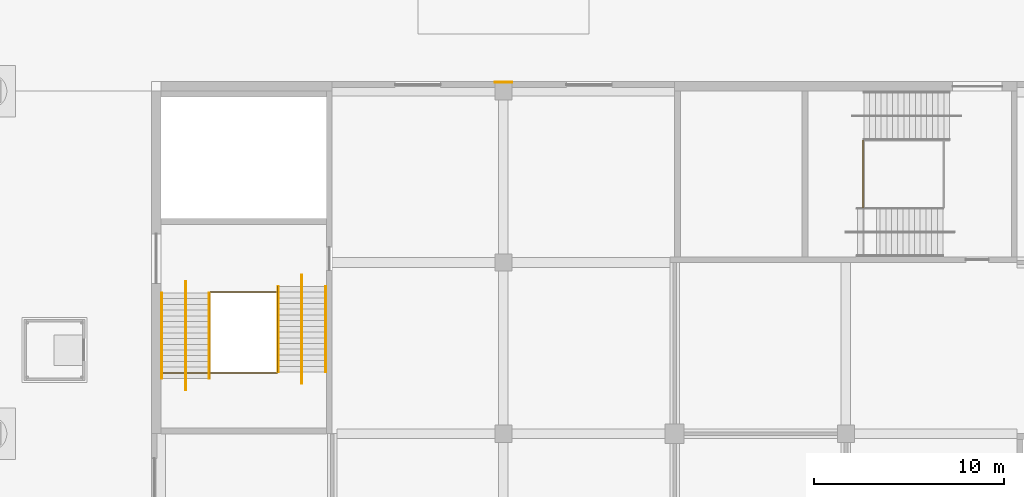
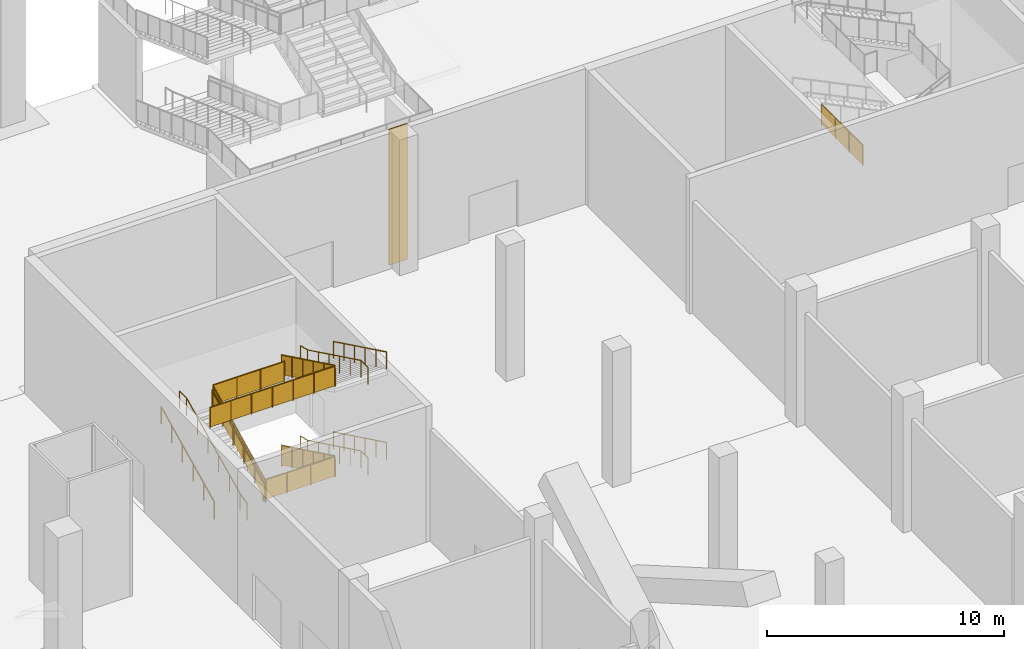
# One storey, part 83 of 92: 16 railings, 1 covering.
"""IFC4 building model written with IfcOpenShell, lengths in metres."""

from ifc_helpers import new_model, si_unit, direction, frame, origin, origin_2d, place, context, subcontext, project, spatial, polyline, circle, outline, extrude, material, layer, layer_set, type_object, element, save


model = new_model("IFC4")

# Units and contexts
model_context = context("Model", 3, precision=1e-05, world=origin(), true_north=direction((0.0, 1.0)))
body_context = subcontext(model_context, "Body", "Model", "MODEL_VIEW")
ifc_project = project(units=[si_unit("LENGTHUNIT", "METRE"), si_unit("AREAUNIT", "SQUARE_METRE"), si_unit("VOLUMEUNIT", "CUBIC_METRE"), si_unit("PLANEANGLEUNIT", "RADIAN"), si_unit("MASSUNIT", "GRAM", prefix="KILO")], contexts=[model_context])

# Site, building, storey
site_placement = place(None, origin())
site = spatial("IfcSite", under=ifc_project, at=site_placement, CompositionType="ELEMENT")
building_placement = place(site_placement, origin())
building = spatial("IfcBuilding", under=site, at=building_placement, Name="Silverbay Arena", CompositionType="ELEMENT")
storey_placement = place(building_placement, origin())
storey = spatial("IfcBuildingStorey", under=building, at=storey_placement, Name="L00", CompositionType="ELEMENT", Elevation=0.0)

# Covering
ifc_material_1 = material(Name="Aluminium composite cladding", Category="aluminium")
ifc_layer = layer(ifc_material_1, 0.050048828125)
ifc_layer_set = layer_set([ifc_layer], Name="Aluminium composite cladding")
covering_type = type_object("IfcCoveringType", Name="Column cladding 50", PredefinedType="CLADDING", material=ifc_layer_set)
covering_placement = place(storey_placement, origin())
element("IfcCovering", 1, at=covering_placement, inside=storey, type_object=covering_type, Name="North column cladding L00 60", PredefinedType="CLADDING", context=body_context, shape_type="SweptSolid", body=[
    extrude(outline(polyline([(44.550048828125, 144.449951171875), (45.449951171875, 144.449951171875), (45.449951171875, 144.5), (44.550048828125, 144.5), (44.550048828125, 144.449951171875)])), origin(), (0.0, 0.0, 1.0), 7.0),
])

# Railings
ifc_material_2 = material(Name="Stainless steel", Category="steel")
railing_type_1 = type_object("IfcRailingType", Name="Stair guard 1100", PredefinedType="GUARDRAIL", material=ifc_material_2)
railing_1_placement = place(storey_placement, frame((63.89306640625, 137.89990234375, 2.333251953125)))
element("IfcRailing", 2, at=railing_1_placement, inside=storey, type_object=railing_type_1, Name="Stair ST-N5 L00 to L01 landing 1 guard", PredefinedType="GUARDRAIL", context=body_context, shape_type="SweptSolid", body=[
    extrude(circle(Radius=0.02392578125, at=origin_2d()), frame((0.0, 0.0, 1.076171875), z_axis=(0.0, 1.0, 0.0), x_axis=(-1.0, 0.0, 0.0)), (0.0, 0.0, 1.0), 3.5),
    extrude(outline(polyline([(-0.008056640625, 0.050048828125), (1.174560546875, 0.050048828125), (1.174560546875, 1.052978515625), (-0.008056640625, 1.052978515625), (-0.008056640625, 0.050048828125)])), frame((-0.0029296875, 0.0, 0.0), z_axis=(1.0, 0.0, 0.0), x_axis=(0.0, 1.0, 0.0)), (0.0, 0.0, 1.0), 0.006103515625),
    extrude(outline(polyline([(-0.008056640625, 0.050048828125), (1.174560546875, 0.050048828125), (1.174560546875, 1.052978515625), (-0.008056640625, 1.052978515625), (-0.008056640625, 0.050048828125)])), frame((-0.0029296875, 1.166748046875, 0.0), z_axis=(1.0, 0.0, 0.0), x_axis=(0.0, 1.0, 0.0)), (0.0, 0.0, 1.0), 0.006103515625),
    extrude(outline(polyline([(-0.008056640625, 0.050048828125), (1.174560546875, 0.050048828125), (1.174560546875, 1.052978515625), (-0.008056640625, 1.052978515625), (-0.008056640625, 0.050048828125)])), frame((-0.0029296875, 2.333251953125, 0.0), z_axis=(1.0, 0.0, 0.0), x_axis=(0.0, 1.0, 0.0)), (0.0, 0.0, 1.0), 0.006103515625),
    extrude(circle(Radius=0.02099609375, at=origin_2d()), origin(), (0.0, 0.0, 1.0), 1.052001953125),
    extrude(circle(Radius=0.02099609375, at=origin_2d()), frame((0.0, 1.166748046875, 0.0)), (0.0, 0.0, 1.0), 1.052001953125),
    extrude(circle(Radius=0.02099609375, at=origin_2d()), frame((0.0, 2.333251953125, 0.0)), (0.0, 0.0, 1.0), 1.052001953125),
    extrude(circle(Radius=0.02099609375, at=origin_2d()), frame((0.0, 3.5, 0.0)), (0.0, 0.0, 1.0), 1.052001953125),
])
railing_2_placement = place(storey_placement, frame((33.125, 133.7431640625, 0.145751953125)))
element("IfcRailing", 3, at=railing_2_placement, inside=storey, type_object=railing_type_1, Name="Stair ST-WG2 L00 to L01 flight 1 guard right", PredefinedType="GUARDRAIL", context=body_context, shape_type="SweptSolid", body=[
    extrude(circle(Radius=0.02392578125, at=origin_2d()), frame((0.0, 0.0, 1.076171875), z_axis=(0.0, -0.899367854138, 0.437192706873), x_axis=(1.0, 0.0, 0.0)), (0.0, 0.0, 1.0), 5.00341796875),
    extrude(outline(polyline([(-0.008056640625, 0.046142578125), (0.907958984375, 0.491455078125), (0.907958984375, 1.494384765625), (-0.008056640625, 1.049072265625), (-0.008056640625, 0.046142578125)])), frame((0.0029296875, 0.0, 0.0), z_axis=(-1.0, 0.0, 0.0), x_axis=(0.0, -1.0, 0.0)), (0.0, 0.0, 1.0), 0.006103515625),
    extrude(outline(polyline([(-0.008056640625, 0.483642578125), (0.907958984375, 0.928955078125), (0.907958984375, 1.931884765625), (-0.008056640625, 1.486572265625), (-0.008056640625, 0.483642578125)])), frame((0.0029296875, -0.89990234375, 0.0), z_axis=(-1.0, 0.0, 0.0), x_axis=(0.0, -1.0, 0.0)), (0.0, 0.0, 1.0), 0.006103515625),
    extrude(outline(polyline([(-0.008056640625, 0.921142578125), (0.907958984375, 1.366455078125), (0.907958984375, 2.369384765625), (-0.008056640625, 1.924072265625), (-0.008056640625, 0.921142578125)])), frame((0.0029296875, -1.800048828125, 0.0), z_axis=(-1.0, 0.0, 0.0), x_axis=(0.0, -1.0, 0.0)), (0.0, 0.0, 1.0), 0.006103515625),
    extrude(outline(polyline([(-0.008056640625, 1.358642578125), (0.907958984375, 1.803955078125), (0.907958984375, 2.806884765625), (-0.008056640625, 2.361572265625), (-0.008056640625, 1.358642578125)])), frame((0.0029296875, -2.699951171875, 0.0), z_axis=(-1.0, 0.0, 0.0), x_axis=(0.0, -1.0, 0.0)), (0.0, 0.0, 1.0), 0.006103515625),
    extrude(outline(polyline([(-0.008056640625, 1.796142578125), (0.907958984375, 2.241455078125), (0.907958984375, 3.244384765625), (-0.008056640625, 2.799072265625), (-0.008056640625, 1.796142578125)])), frame((0.0029296875, -3.60009765625, 0.0), z_axis=(-1.0, 0.0, 0.0), x_axis=(0.0, -1.0, 0.0)), (0.0, 0.0, 1.0), 0.006103515625),
    extrude(circle(Radius=0.02099609375, at=origin_2d()), origin(), (0.0, 0.0, 1.0), 1.052001953125),
    extrude(circle(Radius=0.02099609375, at=origin_2d()), frame((0.0, -0.89990234375, 0.4375)), (0.0, 0.0, 1.0), 1.052001953125),
    extrude(circle(Radius=0.02099609375, at=origin_2d()), frame((0.0, -1.800048828125, 0.875)), (0.0, 0.0, 1.0), 1.052001953125),
    extrude(circle(Radius=0.02099609375, at=origin_2d()), frame((0.0, -2.699951171875, 1.3125)), (0.0, 0.0, 1.0), 1.052001953125),
    extrude(circle(Radius=0.02099609375, at=origin_2d()), frame((0.0, -3.60009765625, 1.75)), (0.0, 0.0, 1.0), 1.052001953125),
    extrude(circle(Radius=0.02099609375, at=origin_2d()), frame((0.0, -4.5, 2.1875)), (0.0, 0.0, 1.0), 1.052001953125),
])
railing_3_placement = place(storey_placement, frame((29.574951171875, 128.89990234375, 2.479248046875)))
element("IfcRailing", 4, at=railing_3_placement, inside=storey, type_object=railing_type_1, Name="Stair ST-WG2 L00 to L01 flight 2 guard left", PredefinedType="GUARDRAIL", context=body_context, shape_type="SweptSolid", body=[
    extrude(circle(Radius=0.02392578125, at=origin_2d()), frame((0.0, 0.0, 1.076171875), z_axis=(0.0, 0.899367854138, 0.437192706873), x_axis=(-1.0, 0.0, 0.0)), (0.0, 0.0, 1.0), 5.00341796875),
    extrude(outline(polyline([(-0.008056640625, 0.046142578125), (0.907958984375, 0.491455078125), (0.907958984375, 1.494384765625), (-0.008056640625, 1.049072265625), (-0.008056640625, 0.046142578125)])), frame((-0.0029296875, 0.0, 0.0), z_axis=(1.0, 0.0, 0.0), x_axis=(0.0, 1.0, 0.0)), (0.0, 0.0, 1.0), 0.006103515625),
    extrude(outline(polyline([(-0.008056640625, 0.483642578125), (0.907958984375, 0.928955078125), (0.907958984375, 1.931884765625), (-0.008056640625, 1.486572265625), (-0.008056640625, 0.483642578125)])), frame((-0.0029296875, 0.89990234375, 0.0), z_axis=(1.0, 0.0, 0.0), x_axis=(0.0, 1.0, 0.0)), (0.0, 0.0, 1.0), 0.006103515625),
    extrude(outline(polyline([(-0.008056640625, 0.921142578125), (0.907958984375, 1.366455078125), (0.907958984375, 2.369384765625), (-0.008056640625, 1.924072265625), (-0.008056640625, 0.921142578125)])), frame((-0.0029296875, 1.800048828125, 0.0), z_axis=(1.0, 0.0, 0.0), x_axis=(0.0, 1.0, 0.0)), (0.0, 0.0, 1.0), 0.006103515625),
    extrude(outline(polyline([(-0.008056640625, 1.358642578125), (0.907958984375, 1.803955078125), (0.907958984375, 2.806884765625), (-0.008056640625, 2.361572265625), (-0.008056640625, 1.358642578125)])), frame((-0.0029296875, 2.699951171875, 0.0), z_axis=(1.0, 0.0, 0.0), x_axis=(0.0, 1.0, 0.0)), (0.0, 0.0, 1.0), 0.006103515625),
    extrude(outline(polyline([(-0.008056640625, 1.796142578125), (0.907958984375, 2.241455078125), (0.907958984375, 3.244384765625), (-0.008056640625, 2.799072265625), (-0.008056640625, 1.796142578125)])), frame((-0.0029296875, 3.60009765625, 0.0), z_axis=(1.0, 0.0, 0.0), x_axis=(0.0, 1.0, 0.0)), (0.0, 0.0, 1.0), 0.006103515625),
    extrude(circle(Radius=0.02099609375, at=origin_2d()), origin(), (0.0, 0.0, 1.0), 1.052001953125),
    extrude(circle(Radius=0.02099609375, at=origin_2d()), frame((0.0, 0.89990234375, 0.4375)), (0.0, 0.0, 1.0), 1.052001953125),
    extrude(circle(Radius=0.02099609375, at=origin_2d()), frame((0.0, 1.800048828125, 0.875)), (0.0, 0.0, 1.0), 1.052001953125),
    extrude(circle(Radius=0.02099609375, at=origin_2d()), frame((0.0, 2.699951171875, 1.3125)), (0.0, 0.0, 1.0), 1.052001953125),
    extrude(circle(Radius=0.02099609375, at=origin_2d()), frame((0.0, 3.60009765625, 1.75)), (0.0, 0.0, 1.0), 1.052001953125),
    extrude(circle(Radius=0.02099609375, at=origin_2d()), frame((0.0, 4.5, 2.1875)), (0.0, 0.0, 1.0), 1.052001953125),
])
railing_4_placement = place(storey_placement, frame((33.125, 133.7431640625, 4.8125)))
element("IfcRailing", 5, at=railing_4_placement, inside=storey, type_object=railing_type_1, Name="Stair ST-WG2 L00 to L01 flight 3 guard right", PredefinedType="GUARDRAIL", context=body_context, shape_type="SweptSolid", body=[
    extrude(circle(Radius=0.02392578125, at=origin_2d()), frame((0.0, 0.0, 1.076171875), z_axis=(0.0, -0.899367854138, 0.437192706873), x_axis=(1.0, 0.0, 0.0)), (0.0, 0.0, 1.0), 5.00341796875),
    extrude(outline(polyline([(-0.008056640625, 0.046142578125), (0.907958984375, 0.491455078125), (0.907958984375, 1.494384765625), (-0.008056640625, 1.049072265625), (-0.008056640625, 0.046142578125)])), frame((0.0029296875, 0.0, 0.0), z_axis=(-1.0, 0.0, 0.0), x_axis=(0.0, -1.0, 0.0)), (0.0, 0.0, 1.0), 0.006103515625),
    extrude(outline(polyline([(-0.008056640625, 0.483642578125), (0.907958984375, 0.928955078125), (0.907958984375, 1.931884765625), (-0.008056640625, 1.486572265625), (-0.008056640625, 0.483642578125)])), frame((0.0029296875, -0.89990234375, 0.0), z_axis=(-1.0, 0.0, 0.0), x_axis=(0.0, -1.0, 0.0)), (0.0, 0.0, 1.0), 0.006103515625),
    extrude(outline(polyline([(-0.008056640625, 0.921142578125), (0.907958984375, 1.366455078125), (0.907958984375, 2.369384765625), (-0.008056640625, 1.924072265625), (-0.008056640625, 0.921142578125)])), frame((0.0029296875, -1.800048828125, 0.0), z_axis=(-1.0, 0.0, 0.0), x_axis=(0.0, -1.0, 0.0)), (0.0, 0.0, 1.0), 0.006103515625),
    extrude(outline(polyline([(-0.008056640625, 1.358642578125), (0.907958984375, 1.803955078125), (0.907958984375, 2.806884765625), (-0.008056640625, 2.361572265625), (-0.008056640625, 1.358642578125)])), frame((0.0029296875, -2.699951171875, 0.0), z_axis=(-1.0, 0.0, 0.0), x_axis=(0.0, -1.0, 0.0)), (0.0, 0.0, 1.0), 0.006103515625),
    extrude(outline(polyline([(-0.008056640625, 1.796142578125), (0.907958984375, 2.241455078125), (0.907958984375, 3.244384765625), (-0.008056640625, 2.799072265625), (-0.008056640625, 1.796142578125)])), frame((0.0029296875, -3.60009765625, 0.0), z_axis=(-1.0, 0.0, 0.0), x_axis=(0.0, -1.0, 0.0)), (0.0, 0.0, 1.0), 0.006103515625),
    extrude(circle(Radius=0.02099609375, at=origin_2d()), origin(), (0.0, 0.0, 1.0), 1.052001953125),
    extrude(circle(Radius=0.02099609375, at=origin_2d()), frame((0.0, -0.89990234375, 0.4375)), (0.0, 0.0, 1.0), 1.052001953125),
    extrude(circle(Radius=0.02099609375, at=origin_2d()), frame((0.0, -1.800048828125, 0.875)), (0.0, 0.0, 1.0), 1.052001953125),
    extrude(circle(Radius=0.02099609375, at=origin_2d()), frame((0.0, -2.699951171875, 1.3125)), (0.0, 0.0, 1.0), 1.052001953125),
    extrude(circle(Radius=0.02099609375, at=origin_2d()), frame((0.0, -3.60009765625, 1.75)), (0.0, 0.0, 1.0), 1.052001953125),
    extrude(circle(Radius=0.02099609375, at=origin_2d()), frame((0.0, -4.5, 2.1875)), (0.0, 0.0, 1.0), 1.052001953125),
])
for number, where, name in (
    (6, (33.10009765625, 129.193115234375, 2.333251953125), "Stair ST-WG2 L00 to L01 landing 1 guard"),
    (7, (33.10009765625, 133.449951171875, 4.666748046875), "Stair ST-WG2 L00 to L01 landing 2 guard"),
):
    element("IfcRailing", number, at=place(storey_placement, frame(where)), inside=storey, type_object=railing_type_1, Name=name, PredefinedType="GUARDRAIL", context=body_context, shape_type="SweptSolid", body=[
        extrude(circle(Radius=0.02392578125, at=origin_2d()), frame((0.0, 0.0, 1.076171875), z_axis=(-1.0, 0.0, 0.0), x_axis=(0.0, -1.0, 0.0)), (0.0, 0.0, 1.0), 3.5),
        extrude(outline(polyline([(-0.008056640625, 0.050048828125), (1.174560546875, 0.050048828125), (1.174560546875, 1.052978515625), (-0.008056640625, 1.052978515625), (-0.008056640625, 0.050048828125)])), frame((0.0, -0.0029296875, 0.0), z_axis=(0.0, 1.0, 0.0), x_axis=(-1.0, 0.0, 0.0)), (0.0, 0.0, 1.0), 0.006103515625),
        extrude(outline(polyline([(-0.008056640625, 0.050048828125), (1.174560546875, 0.050048828125), (1.174560546875, 1.052978515625), (-0.008056640625, 1.052978515625), (-0.008056640625, 0.050048828125)])), frame((-1.166748046875, -0.0029296875, 0.0), z_axis=(0.0, 1.0, 0.0), x_axis=(-1.0, 0.0, 0.0)), (0.0, 0.0, 1.0), 0.006103515625),
        extrude(outline(polyline([(-0.008056640625, 0.050048828125), (1.174560546875, 0.050048828125), (1.174560546875, 1.052978515625), (-0.008056640625, 1.052978515625), (-0.008056640625, 0.050048828125)])), frame((-2.333251953125, -0.0029296875, 0.0), z_axis=(0.0, 1.0, 0.0), x_axis=(-1.0, 0.0, 0.0)), (0.0, 0.0, 1.0), 0.006103515625),
        extrude(circle(Radius=0.02099609375, at=origin_2d()), origin(), (0.0, 0.0, 1.0), 1.052001953125),
        extrude(circle(Radius=0.02099609375, at=origin_2d()), frame((-1.166748046875, 0.0, 0.0)), (0.0, 0.0, 1.0), 1.052001953125),
        extrude(circle(Radius=0.02099609375, at=origin_2d()), frame((-2.333251953125, 0.0, 0.0)), (0.0, 0.0, 1.0), 1.052001953125),
        extrude(circle(Radius=0.02099609375, at=origin_2d()), frame((-3.5, 0.0, 0.0)), (0.0, 0.0, 1.0), 1.052001953125),
    ])
railing_5_placement = place(storey_placement, frame((33.10009765625, 129.193115234375, 7.0)))
element("IfcRailing", 8, at=railing_5_placement, inside=storey, type_object=railing_type_1, Name="Stair ST-WG2 L00 to L01 landing 3 guard", PredefinedType="GUARDRAIL", context=body_context, shape_type="SweptSolid", body=[
    extrude(circle(Radius=0.02392578125, at=origin_2d()), frame((0.0, 0.0, 1.076171875), z_axis=(-1.0, 0.0, 0.0), x_axis=(0.0, -1.0, 0.0)), (0.0, 0.0, 1.0), 6.10009765625),
    extrude(outline(polyline([(-0.008056640625, 0.050048828125), (1.024658203125, 0.050048828125), (1.024658203125, 1.052978515625), (-0.008056640625, 1.052978515625), (-0.008056640625, 0.050048828125)])), frame((0.0, -0.0029296875, 0.0), z_axis=(0.0, 1.0, 0.0), x_axis=(-1.0, 0.0, 0.0)), (0.0, 0.0, 1.0), 0.006103515625),
    extrude(outline(polyline([(-0.008056640625, 0.050048828125), (1.024658203125, 0.050048828125), (1.024658203125, 1.052978515625), (-0.008056640625, 1.052978515625), (-0.008056640625, 0.050048828125)])), frame((-1.0166015625, -0.0029296875, 0.0), z_axis=(0.0, 1.0, 0.0), x_axis=(-1.0, 0.0, 0.0)), (0.0, 0.0, 1.0), 0.006103515625),
    extrude(outline(polyline([(-0.008056640625, 0.050048828125), (1.024658203125, 0.050048828125), (1.024658203125, 1.052978515625), (-0.008056640625, 1.052978515625), (-0.008056640625, 0.050048828125)])), frame((-2.033447265625, -0.0029296875, 0.0), z_axis=(0.0, 1.0, 0.0), x_axis=(-1.0, 0.0, 0.0)), (0.0, 0.0, 1.0), 0.006103515625),
    extrude(outline(polyline([(-0.008056640625, 0.050048828125), (1.024658203125, 0.050048828125), (1.024658203125, 1.052978515625), (-0.008056640625, 1.052978515625), (-0.008056640625, 0.050048828125)])), frame((-3.050048828125, -0.0029296875, 0.0), z_axis=(0.0, 1.0, 0.0), x_axis=(-1.0, 0.0, 0.0)), (0.0, 0.0, 1.0), 0.006103515625),
    extrude(outline(polyline([(-0.008056640625, 0.050048828125), (1.024658203125, 0.050048828125), (1.024658203125, 1.052978515625), (-0.008056640625, 1.052978515625), (-0.008056640625, 0.050048828125)])), frame((-4.066650390625, -0.0029296875, 0.0), z_axis=(0.0, 1.0, 0.0), x_axis=(-1.0, 0.0, 0.0)), (0.0, 0.0, 1.0), 0.006103515625),
    extrude(outline(polyline([(-0.008056640625, 0.050048828125), (1.024658203125, 0.050048828125), (1.024658203125, 1.052978515625), (-0.008056640625, 1.052978515625), (-0.008056640625, 0.050048828125)])), frame((-5.08349609375, -0.0029296875, 0.0), z_axis=(0.0, 1.0, 0.0), x_axis=(-1.0, 0.0, 0.0)), (0.0, 0.0, 1.0), 0.006103515625),
    extrude(circle(Radius=0.02099609375, at=origin_2d()), origin(), (0.0, 0.0, 1.0), 1.052001953125),
    extrude(circle(Radius=0.02099609375, at=origin_2d()), frame((-1.0166015625, 0.0, 0.0)), (0.0, 0.0, 1.0), 1.052001953125),
    extrude(circle(Radius=0.02099609375, at=origin_2d()), frame((-2.033447265625, 0.0, 0.0)), (0.0, 0.0, 1.0), 1.052001953125),
    extrude(circle(Radius=0.02099609375, at=origin_2d()), frame((-3.050048828125, 0.0, 0.0)), (0.0, 0.0, 1.0), 1.052001953125),
    extrude(circle(Radius=0.02099609375, at=origin_2d()), frame((-4.066650390625, 0.0, 0.0)), (0.0, 0.0, 1.0), 1.052001953125),
    extrude(circle(Radius=0.02099609375, at=origin_2d()), frame((-5.08349609375, 0.0, 0.0)), (0.0, 0.0, 1.0), 1.052001953125),
    extrude(circle(Radius=0.02099609375, at=origin_2d()), frame((-6.10009765625, 0.0, 0.0)), (0.0, 0.0, 1.0), 1.052001953125),
])
ifc_material_3 = material(Name="Stainless steel", Category="steel")
railing_type_2 = type_object("IfcRailingType", Name="Stair handrail 900", PredefinedType="HANDRAIL", material=ifc_material_3)
for number, where, name in (
    (9, (35.64990234375, 133.7431640625, 0.145751953125), "Stair ST-WG2 L00 to L01 flight 1 handrail left"),
    (10, (33.1640625, 133.7431640625, 0.145751953125), "Stair ST-WG2 L00 to L01 flight 1 handrail right"),
):
    element("IfcRailing", number, at=place(storey_placement, frame(where)), inside=storey, type_object=railing_type_2, Name=name, PredefinedType="HANDRAIL", context=body_context, shape_type="SweptSolid", body=[
        extrude(circle(Radius=0.02392578125, at=origin_2d()), frame((0.0, 0.0, 0.8759765625), z_axis=(0.0, -0.899367854138, 0.437192706873), x_axis=(1.0, 0.0, 0.0)), (0.0, 0.0, 1.0), 5.00341796875),
        extrude(circle(Radius=0.02099609375, at=origin_2d()), origin(), (0.0, 0.0, 1.0), 0.851806640625),
        extrude(circle(Radius=0.02099609375, at=origin_2d()), frame((0.0, -0.89990234375, 0.4375)), (0.0, 0.0, 1.0), 0.851806640625),
        extrude(circle(Radius=0.02099609375, at=origin_2d()), frame((0.0, -1.800048828125, 0.875)), (0.0, 0.0, 1.0), 0.851806640625),
        extrude(circle(Radius=0.02099609375, at=origin_2d()), frame((0.0, -2.699951171875, 1.3125)), (0.0, 0.0, 1.0), 0.851806640625),
        extrude(circle(Radius=0.02099609375, at=origin_2d()), frame((0.0, -3.60009765625, 1.75)), (0.0, 0.0, 1.0), 0.851806640625),
        extrude(circle(Radius=0.02099609375, at=origin_2d()), frame((0.0, -4.5, 2.1875)), (0.0, 0.0, 1.0), 0.851806640625),
    ])
railing_6_placement = place(storey_placement, frame((34.39990234375, 134.343017578125, 0.0)))
element("IfcRailing", 11, at=railing_6_placement, inside=storey, type_object=railing_type_2, Name="Stair ST-WG2 L00 to L01 flight 1 central handrail", PredefinedType="HANDRAIL", context=body_context, shape_type="SweptSolid", body=[
    extrude(circle(Radius=0.02392578125, at=origin_2d()), frame((0.0, 0.0, 0.8759765625), z_axis=(0.0, -0.971726487806, 0.23610936639), x_axis=(1.0, 0.0, 0.0)), (0.0, 0.0, 1.0), 0.6171875),
    extrude(circle(Radius=0.02392578125, at=origin_2d()), frame((0.0, -0.599853515625, 1.021484375), z_axis=(0.0, -0.899367854138, 0.437192706873), x_axis=(1.0, 0.0, 0.0)), (0.0, 0.0, 1.0), 5.00341796875),
    extrude(circle(Radius=0.02392578125, at=origin_2d()), frame((0.0, -5.099853515625, 3.208984375), z_axis=(0.0, -1.0, 0.0), x_axis=(1.0, 0.0, 0.0)), (0.0, 0.0, 1.0), 0.60009765625),
    extrude(circle(Radius=0.02099609375, at=origin_2d()), origin(), (0.0, 0.0, 1.0), 0.851806640625),
    extrude(circle(Radius=0.02099609375, at=origin_2d()), frame((0.0, -0.599853515625, 0.145751953125)), (0.0, 0.0, 1.0), 0.851806640625),
    extrude(circle(Radius=0.02099609375, at=origin_2d()), frame((0.0, -1.499755859375, 0.583251953125)), (0.0, 0.0, 1.0), 0.851806640625),
    extrude(circle(Radius=0.02099609375, at=origin_2d()), frame((0.0, -2.39990234375, 1.020751953125)), (0.0, 0.0, 1.0), 0.851806640625),
    extrude(circle(Radius=0.02099609375, at=origin_2d()), frame((0.0, -3.2998046875, 1.458251953125)), (0.0, 0.0, 1.0), 0.851806640625),
    extrude(circle(Radius=0.02099609375, at=origin_2d()), frame((0.0, -4.199951171875, 1.895751953125)), (0.0, 0.0, 1.0), 0.851806640625),
    extrude(circle(Radius=0.02099609375, at=origin_2d()), frame((0.0, -5.099853515625, 2.333251953125)), (0.0, 0.0, 1.0), 0.851806640625),
    extrude(circle(Radius=0.02099609375, at=origin_2d()), frame((0.0, -5.699951171875, 2.333251953125)), (0.0, 0.0, 1.0), 0.851806640625),
])
for number, where, name in (
    (12, (29.535888671875, 128.89990234375, 2.479248046875), "Stair ST-WG2 L00 to L01 flight 2 handrail left"),
    (13, (27.050048828125, 128.89990234375, 2.479248046875), "Stair ST-WG2 L00 to L01 flight 2 handrail right"),
):
    element("IfcRailing", number, at=place(storey_placement, frame(where)), inside=storey, type_object=railing_type_2, Name=name, PredefinedType="HANDRAIL", context=body_context, shape_type="SweptSolid", body=[
        extrude(circle(Radius=0.02392578125, at=origin_2d()), frame((0.0, 0.0, 0.8759765625), z_axis=(0.0, 0.899367854138, 0.437192706873), x_axis=(-1.0, 0.0, 0.0)), (0.0, 0.0, 1.0), 5.00341796875),
        extrude(circle(Radius=0.02099609375, at=origin_2d()), origin(), (0.0, 0.0, 1.0), 0.851806640625),
        extrude(circle(Radius=0.02099609375, at=origin_2d()), frame((0.0, 0.89990234375, 0.4375)), (0.0, 0.0, 1.0), 0.851806640625),
        extrude(circle(Radius=0.02099609375, at=origin_2d()), frame((0.0, 1.800048828125, 0.875)), (0.0, 0.0, 1.0), 0.851806640625),
        extrude(circle(Radius=0.02099609375, at=origin_2d()), frame((0.0, 2.699951171875, 1.3125)), (0.0, 0.0, 1.0), 0.851806640625),
        extrude(circle(Radius=0.02099609375, at=origin_2d()), frame((0.0, 3.60009765625, 1.75)), (0.0, 0.0, 1.0), 0.851806640625),
        extrude(circle(Radius=0.02099609375, at=origin_2d()), frame((0.0, 4.5, 2.1875)), (0.0, 0.0, 1.0), 0.851806640625),
    ])
railing_7_placement = place(storey_placement, frame((28.300048828125, 128.300048828125, 2.333251953125)))
element("IfcRailing", 14, at=railing_7_placement, inside=storey, type_object=railing_type_2, Name="Stair ST-WG2 L00 to L01 flight 2 central handrail", PredefinedType="HANDRAIL", context=body_context, shape_type="SweptSolid", body=[
    extrude(circle(Radius=0.02392578125, at=origin_2d()), frame((0.0, 0.0, 0.8759765625), z_axis=(0.0, 0.971635685089, 0.236482759334), x_axis=(-1.0, 0.0, 0.0)), (0.0, 0.0, 1.0), 0.617431640625),
    extrude(circle(Radius=0.02392578125, at=origin_2d()), frame((0.0, 0.599853515625, 1.02197265625), z_axis=(0.0, 0.899367854138, 0.437192706873), x_axis=(-1.0, 0.0, 0.0)), (0.0, 0.0, 1.0), 5.00341796875),
    extrude(circle(Radius=0.02392578125, at=origin_2d()), frame((0.0, 5.099853515625, 3.20947265625), z_axis=(0.0, 1.0, 0.0), x_axis=(-1.0, 0.0, 0.0)), (0.0, 0.0, 1.0), 0.60009765625),
    extrude(circle(Radius=0.02099609375, at=origin_2d()), origin(), (0.0, 0.0, 1.0), 0.851806640625),
    extrude(circle(Radius=0.02099609375, at=origin_2d()), frame((0.0, 0.599853515625, 0.14599609375)), (0.0, 0.0, 1.0), 0.851806640625),
    extrude(circle(Radius=0.02099609375, at=origin_2d()), frame((0.0, 1.499755859375, 0.58349609375)), (0.0, 0.0, 1.0), 0.851806640625),
    extrude(circle(Radius=0.02099609375, at=origin_2d()), frame((0.0, 2.39990234375, 1.02099609375)), (0.0, 0.0, 1.0), 0.851806640625),
    extrude(circle(Radius=0.02099609375, at=origin_2d()), frame((0.0, 3.2998046875, 1.45849609375)), (0.0, 0.0, 1.0), 0.851806640625),
    extrude(circle(Radius=0.02099609375, at=origin_2d()), frame((0.0, 4.199951171875, 1.89599609375)), (0.0, 0.0, 1.0), 0.851806640625),
    extrude(circle(Radius=0.02099609375, at=origin_2d()), frame((0.0, 5.099853515625, 2.33349609375)), (0.0, 0.0, 1.0), 0.851806640625),
    extrude(circle(Radius=0.02099609375, at=origin_2d()), frame((0.0, 5.699951171875, 2.33349609375)), (0.0, 0.0, 1.0), 0.851806640625),
])
for number, where, name in (
    (15, (35.64990234375, 133.7431640625, 4.8125), "Stair ST-WG2 L00 to L01 flight 3 handrail left"),
    (16, (33.1640625, 133.7431640625, 4.8125), "Stair ST-WG2 L00 to L01 flight 3 handrail right"),
):
    element("IfcRailing", number, at=place(storey_placement, frame(where)), inside=storey, type_object=railing_type_2, Name=name, PredefinedType="HANDRAIL", context=body_context, shape_type="SweptSolid", body=[
        extrude(circle(Radius=0.02392578125, at=origin_2d()), frame((0.0, 0.0, 0.8759765625), z_axis=(0.0, -0.899367854138, 0.437192706873), x_axis=(1.0, 0.0, 0.0)), (0.0, 0.0, 1.0), 5.00341796875),
        extrude(circle(Radius=0.02099609375, at=origin_2d()), origin(), (0.0, 0.0, 1.0), 0.851806640625),
        extrude(circle(Radius=0.02099609375, at=origin_2d()), frame((0.0, -0.89990234375, 0.4375)), (0.0, 0.0, 1.0), 0.851806640625),
        extrude(circle(Radius=0.02099609375, at=origin_2d()), frame((0.0, -1.800048828125, 0.875)), (0.0, 0.0, 1.0), 0.851806640625),
        extrude(circle(Radius=0.02099609375, at=origin_2d()), frame((0.0, -2.699951171875, 1.3125)), (0.0, 0.0, 1.0), 0.851806640625),
        extrude(circle(Radius=0.02099609375, at=origin_2d()), frame((0.0, -3.60009765625, 1.75)), (0.0, 0.0, 1.0), 0.851806640625),
        extrude(circle(Radius=0.02099609375, at=origin_2d()), frame((0.0, -4.5, 2.1875)), (0.0, 0.0, 1.0), 0.851806640625),
    ])
railing_8_placement = place(storey_placement, frame((34.39990234375, 134.343017578125, 4.666748046875)))
element("IfcRailing", 17, at=railing_8_placement, inside=storey, type_object=railing_type_2, Name="Stair ST-WG2 L00 to L01 flight 3 central handrail", PredefinedType="HANDRAIL", context=body_context, shape_type="SweptSolid", body=[
    extrude(circle(Radius=0.02392578125, at=origin_2d()), frame((0.0, 0.0, 0.8759765625), z_axis=(0.0, -0.971726487806, 0.23610936639), x_axis=(1.0, 0.0, 0.0)), (0.0, 0.0, 1.0), 0.6171875),
    extrude(circle(Radius=0.02392578125, at=origin_2d()), frame((0.0, -0.599853515625, 1.021484375), z_axis=(0.0, -0.899367854138, 0.437192706873), x_axis=(1.0, 0.0, 0.0)), (0.0, 0.0, 1.0), 5.00341796875),
    extrude(circle(Radius=0.02392578125, at=origin_2d()), frame((0.0, -5.099853515625, 3.208984375), z_axis=(0.0, -1.0, 0.0), x_axis=(1.0, 0.0, 0.0)), (0.0, 0.0, 1.0), 0.60009765625),
    extrude(circle(Radius=0.02099609375, at=origin_2d()), origin(), (0.0, 0.0, 1.0), 0.851806640625),
    extrude(circle(Radius=0.02099609375, at=origin_2d()), frame((0.0, -0.599853515625, 0.145751953125)), (0.0, 0.0, 1.0), 0.851806640625),
    extrude(circle(Radius=0.02099609375, at=origin_2d()), frame((0.0, -1.499755859375, 0.583251953125)), (0.0, 0.0, 1.0), 0.851806640625),
    extrude(circle(Radius=0.02099609375, at=origin_2d()), frame((0.0, -2.39990234375, 1.020751953125)), (0.0, 0.0, 1.0), 0.851806640625),
    extrude(circle(Radius=0.02099609375, at=origin_2d()), frame((0.0, -3.2998046875, 1.458251953125)), (0.0, 0.0, 1.0), 0.851806640625),
    extrude(circle(Radius=0.02099609375, at=origin_2d()), frame((0.0, -4.199951171875, 1.895751953125)), (0.0, 0.0, 1.0), 0.851806640625),
    extrude(circle(Radius=0.02099609375, at=origin_2d()), frame((0.0, -5.099853515625, 2.333251953125)), (0.0, 0.0, 1.0), 0.851806640625),
    extrude(circle(Radius=0.02099609375, at=origin_2d()), frame((0.0, -5.699951171875, 2.333251953125)), (0.0, 0.0, 1.0), 0.851806640625),
])

save(model, "model.ifc")
